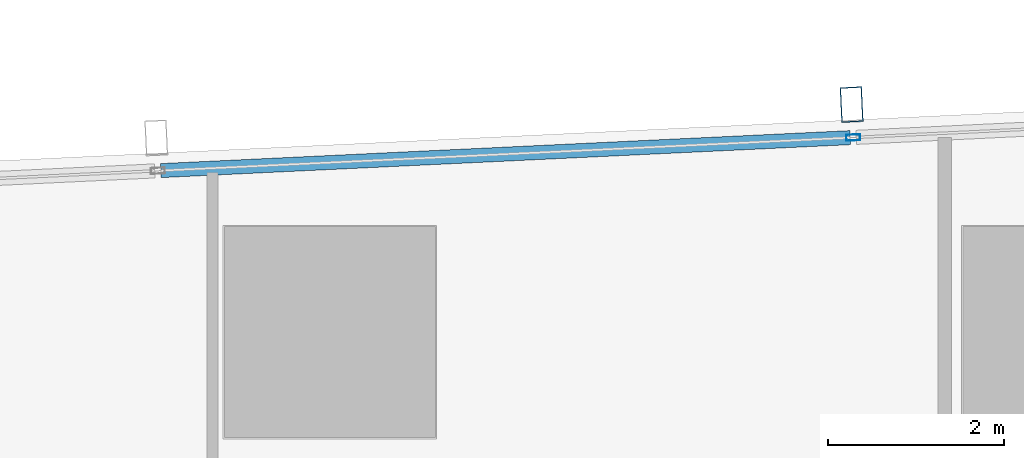
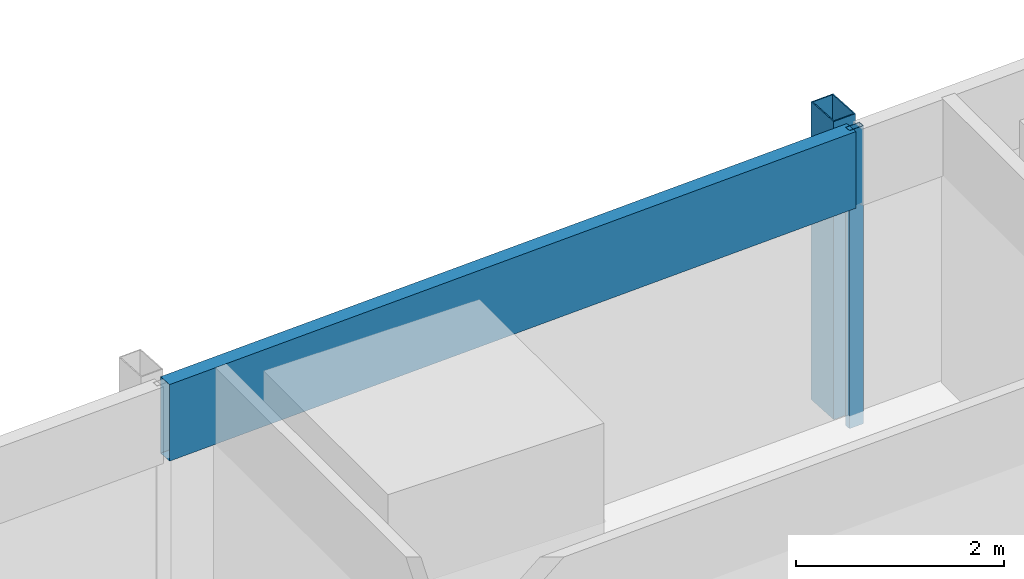
# One storey, part 16 of 37: 3 members, 1 element without a shape of its own.
"""IFC4 building model written with IfcOpenShell, lengths in metres."""

from ifc_helpers import new_model, si_unit, direction, frame, origin, origin_2d, place, context, subcontext, project, spatial, hollow_rectangle, extrude, material, material_profile, profile_set, type_object, element, aggregate, save


model = new_model("IFC4")

# Units and contexts
model_context = context("Model", 3, precision=1e-05, world=origin(), true_north=direction((0.0, 1.0)))
body_context = subcontext(model_context, "Body", "Model", "MODEL_VIEW")
ifc_project = project(units=[si_unit("LENGTHUNIT", "METRE"), si_unit("AREAUNIT", "SQUARE_METRE"), si_unit("VOLUMEUNIT", "CUBIC_METRE"), si_unit("PLANEANGLEUNIT", "RADIAN"), si_unit("MASSUNIT", "GRAM", prefix="KILO")], contexts=[model_context])

# Site, building, storey
site_placement = place(None, origin())
site = spatial("IfcSite", under=ifc_project, at=site_placement, CompositionType="ELEMENT")
building_placement = place(site_placement, origin())
building = spatial("IfcBuilding", under=site, at=building_placement, Name="Rekha Terrace Tower", CompositionType="ELEMENT")
storey_placement = place(building_placement, frame((0.0, 0.0, 232.699951171875)))
storey = spatial("IfcBuildingStorey", under=building, at=storey_placement, Name="L59", CompositionType="ELEMENT", Elevation=232.699951171875)

# Curtain wall, members
ifc_material_1 = material(Name="Aluminium framing", Category="aluminium")
curtain_wall_type = type_object("IfcCurtainWallType", Name="CW3 north unitised glazing", PredefinedType="USERDEFINED", material=ifc_material_1)
curtain_wall_placement = place(storey_placement, origin())
curtain_wall = element("IfcCurtainWall", 1, at=curtain_wall_placement, inside=storey, type_object=curtain_wall_type, Name="CW3 unitised curtain wall", ObjectType="UNITISED CURTAIN WALL", PredefinedType="USERDEFINED")
ifc_material_2 = material(Name="Steel S355 with fluorocarbon finish", Category="steel")
ifc_material_profile_1 = material_profile(ifc_material_2, hollow_rectangle(XDim=0.25, YDim=0.39990234375, WallThickness=0.012451171875, at=origin_2d()), Name="RHS400x250x12.5")
ifc_profile_set_1 = profile_set([ifc_material_profile_1], Name="Steel S355 with fluorocarbon finish")
member_type_1 = type_object("IfcMemberType", Name="BL1 facade blade RHS 400 x 250", PredefinedType="USERDEFINED", material=ifc_profile_set_1)
member_1_placement = place(storey_placement, frame((22.734130859375, 61.389404296875, 0.0), z_axis=(0.0, 0.0, 1.0), x_axis=(-0.998858913274, -0.04775846913, 0.0)))
member_1 = element("IfcMember", 2, at=member_1_placement, type_object=member_type_1, Name="Facade blade", ObjectType="FACADE BLADE", PredefinedType="USERDEFINED", context=body_context, shape_type="SweptSolid", body=[
    extrude(hollow_rectangle(XDim=0.25, YDim=0.39990234375, WallThickness=0.012451171875, at=origin_2d()), origin(), (0.0, 0.0, 1.0), 3.5),
])
ifc_material_3 = material(Name="Aluminium mullion section", Category="aluminium")
ifc_material_profile_2 = material_profile(ifc_material_3, hollow_rectangle(XDim=0.070068359375, YDim=0.159912109375, WallThickness=0.00390625, at=origin_2d()), Name="AL RHS 70x160")
ifc_profile_set_2 = profile_set([ifc_material_profile_2], Name="Aluminium mullion section")
member_type_2 = type_object("IfcMemberType", Name="CW3 mullion RHS 70 x 160", PredefinedType="MULLION", material=ifc_profile_set_2)
member_2_placement = place(storey_placement, frame((22.751953125, 61.014892578125, 0.0), z_axis=(0.0, 0.0, 1.0), x_axis=(0.047758616983, -0.998858906204, 0.0)))
member_2 = element("IfcMember", 3, at=member_2_placement, type_object=member_type_2, Name="CW3 mullion 4", PredefinedType="MULLION", context=body_context, shape_type="SweptSolid", body=[
    extrude(hollow_rectangle(XDim=0.070068359375, YDim=0.159912109375, WallThickness=0.00390625, at=origin_2d()), origin(), (0.0, 0.0, 1.0), 3.5),
])
ifc_material_4 = material(Name="Insulated aluminium spandrel box", Category="aluminium")
ifc_material_profile_3 = material_profile(ifc_material_4, hollow_rectangle(XDim=0.159912109375, YDim=0.89990234375, WallThickness=0.0029296875, at=origin_2d()), Name="AL SPANDREL BOX 160x900")
ifc_profile_set_3 = profile_set([ifc_material_profile_3], Name="Insulated aluminium spandrel box")
member_type_3 = type_object("IfcMemberType", Name="CW3 spandrel transom 160 x 900", PredefinedType="USERDEFINED", material=ifc_profile_set_3)
member_3_placement = place(storey_placement, frame((22.717041015625, 61.01318359375, 3.050048828125), z_axis=(-0.998859252362, -0.047751376635, 0.0), x_axis=(0.047751376635, -0.998859252362, 0.0)))
member_3 = element("IfcMember", 4, at=member_3_placement, type_object=member_type_3, Name="CW3 spandrel transom 4", ObjectType="TRANSOM", PredefinedType="USERDEFINED", context=body_context, shape_type="SweptSolid", body=[
    extrude(hollow_rectangle(XDim=0.159912109375, YDim=0.89990234375, WallThickness=0.0029296875, at=origin_2d()), origin(), (0.0, 0.0, 1.0), 7.84814453125),
])
aggregate(curtain_wall, [member_2, member_3, member_1])

save(model, "model.ifc")
